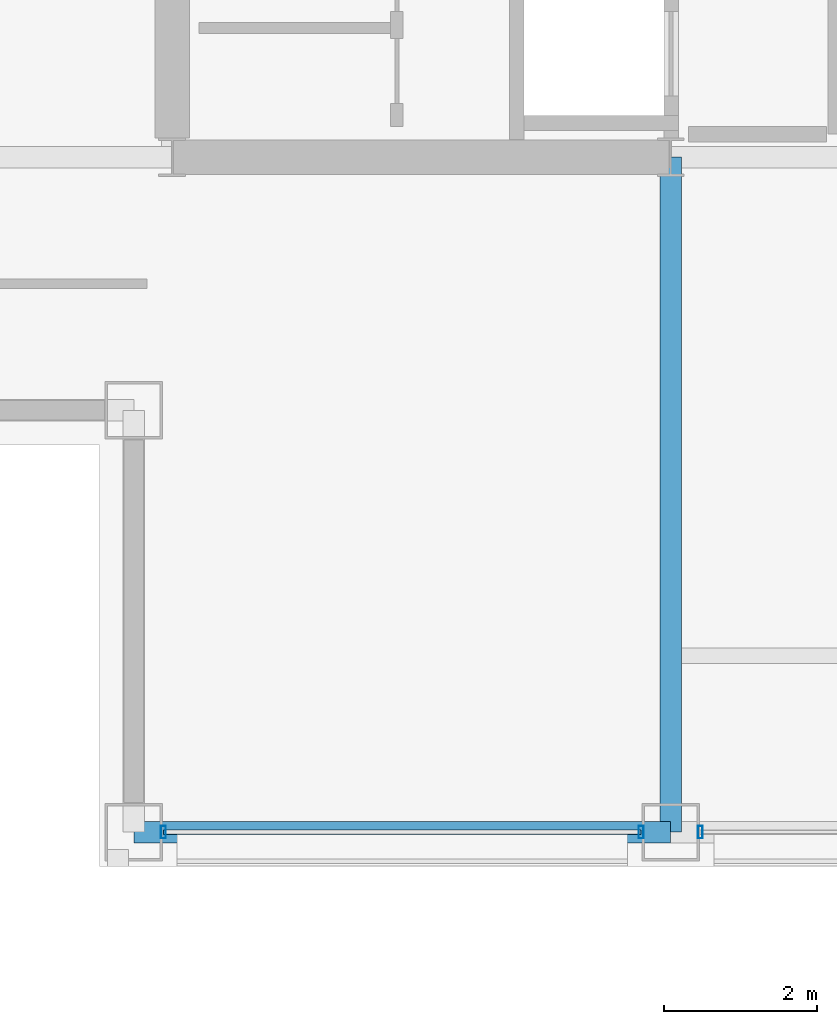
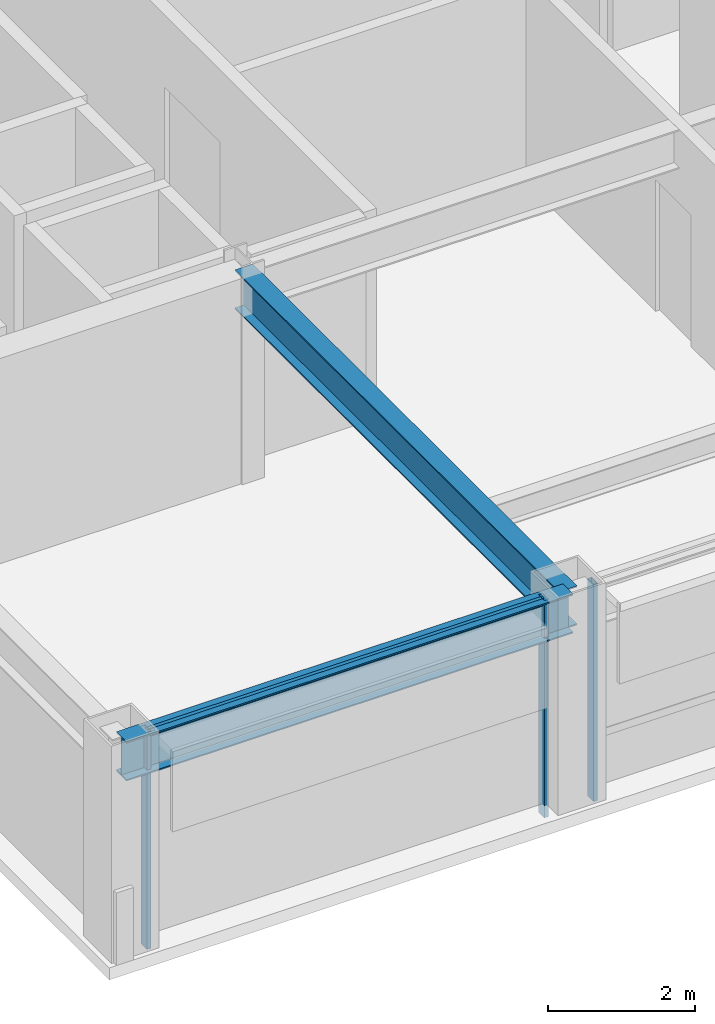
# One storey, part 2 of 30: 4 members, 2 beams, 2 elements without a shape of their own.
"""IFC4 building model written with IfcOpenShell, lengths in metres."""

from ifc_helpers import new_model, si_unit, direction, frame, origin, origin_2d, place, context, subcontext, project, spatial, hollow_rectangle, i_section, extrude, material, layer, layer_set, material_profile, profile_set, type_object, element, aggregate, save


model = new_model("IFC4")

# Units and contexts
model_context = context("Model", 3, precision=1e-05, world=origin(), true_north=direction((0.0, 1.0)))
body_context = subcontext(model_context, "Body", "Model", "MODEL_VIEW")
ifc_project = project(units=[si_unit("LENGTHUNIT", "METRE"), si_unit("AREAUNIT", "SQUARE_METRE"), si_unit("VOLUMEUNIT", "CUBIC_METRE"), si_unit("PLANEANGLEUNIT", "RADIAN"), si_unit("MASSUNIT", "GRAM", prefix="KILO")], contexts=[model_context])

# Site, building, storey
site_placement = place(None, origin())
site = spatial("IfcSite", under=ifc_project, at=site_placement, CompositionType="ELEMENT")
building_placement = place(site_placement, origin())
building = spatial("IfcBuilding", under=site, at=building_placement, Name="Brelmoor Portico Tower", CompositionType="ELEMENT")
storey_placement = place(building_placement, frame((0.0, 0.0, 169.5)))
storey = spatial("IfcBuildingStorey", under=building, at=storey_placement, Name="L44", CompositionType="ELEMENT", Elevation=169.5)

# Beams
ifc_material_1 = material(Name="Steel Q355B", Category="steel")
ifc_material_profile_1 = material_profile(ifc_material_1, i_section(OverallWidth=0.280029296875, OverallDepth=0.64990234375, WebThickness=0.012939453125, FlangeThickness=0.02197265625, at=origin_2d()), Name="HN 650x280x13x22")
ifc_profile_set_1 = profile_set([ifc_material_profile_1], Name="Steel Q355B")
beam_type_1 = type_object("IfcBeamType", Name="BM-PG-650", PredefinedType="BEAM", material=ifc_profile_set_1)
beam_1_placement = place(storey_placement, frame((-8.050048828125, -18.550048828125, 3.074951171875), z_axis=(0.0, 1.0, 0.0), x_axis=(-1.0, 0.0, 0.0)))
element("IfcBeam", 1, at=beam_1_placement, inside=storey, type_object=beam_type_1, Name="L44 Primary Floor Girder PG-03", PredefinedType="BEAM", context=body_context, shape_type="SweptSolid", body=[
    extrude(i_section(OverallWidth=0.280029296875, OverallDepth=0.64990234375, WebThickness=0.012939453125, FlangeThickness=0.02197265625, at=origin_2d()), origin(), (0.0, 0.0, 1.0), 8.800048828125),
])
ifc_material_profile_2 = material_profile(ifc_material_1, i_section(OverallWidth=0.280029296875, OverallDepth=0.64990234375, WebThickness=0.012939453125, FlangeThickness=0.02197265625, at=origin_2d()), Name="HN 650x280x13x22")
ifc_profile_set_2 = profile_set([ifc_material_profile_2], Name="Steel Q355B")
beam_type_2 = type_object("IfcBeamType", Name="BM-SP-650", PredefinedType="SPANDREL", material=ifc_profile_set_2)
beam_2_placement = place(storey_placement, frame((-15.050048828125, -18.550048828125, 3.074951171875), z_axis=(1.0, 0.0, 0.0), x_axis=(0.0, 1.0, 0.0)))
element("IfcBeam", 2, at=beam_2_placement, inside=storey, type_object=beam_type_2, Name="L44 Perimeter Spandrel Beam SP-01", PredefinedType="SPANDREL", context=body_context, shape_type="SweptSolid", body=[
    extrude(i_section(OverallWidth=0.280029296875, OverallDepth=0.64990234375, WebThickness=0.012939453125, FlangeThickness=0.02197265625, at=origin_2d()), origin(), (0.0, 0.0, 1.0), 7.0),
])

# Curtain wall, members
ifc_material_2 = material(Name="Anodised Aluminium Alloy 6063-T6", Category="aluminium")
ifc_layer_1 = layer(ifc_material_2, 0.179931640625)
ifc_layer_set_1 = layer_set([ifc_layer_1], Name="Anodised Aluminium Alloy 6063-T6")
curtain_wall_type_1 = type_object("IfcCurtainWallType", Name="CW-TOWER-Z3-XB", PredefinedType="NOTDEFINED", material=ifc_layer_set_1)
curtain_wall_1_placement = place(storey_placement, origin())
curtain_wall_1 = element("IfcCurtainWall", 3, at=curtain_wall_1_placement, inside=storey, type_object=curtain_wall_type_1, Name="L44 Curtain Wall CW-L44-1L-1", PredefinedType="NOTDEFINED")
ifc_material_profile_3 = material_profile(ifc_material_2, hollow_rectangle(XDim=0.06494140625, YDim=0.1650390625, WallThickness=0.00390625, at=origin_2d()), Name="ALU MULLION 65x165")
ifc_profile_set_3 = profile_set([ifc_material_profile_3], Name="Anodised Aluminium Alloy 6063-T6")
member_type_1 = type_object("IfcMemberType", Name="MB-CW-MULL-165", PredefinedType="MULLION", material=ifc_profile_set_3)
member_1_placement = place(storey_placement, frame((-14.6650390625, -18.550048828125, -0.199951171875), z_axis=(0.0, 0.0, 1.0), x_axis=(1.0, 0.0, 0.0)))
member_1 = element("IfcMember", 4, at=member_1_placement, type_object=member_type_1, Name="CW-L44-1L-1 Mullion 00", PredefinedType="MULLION", context=body_context, shape_type="SweptSolid", body=[
    extrude(hollow_rectangle(XDim=0.06494140625, YDim=0.1650390625, WallThickness=0.00390625, at=origin_2d()), origin(), (0.0, 0.0, 1.0), 3.599853515625),
])
member_2_placement = place(storey_placement, frame((-8.43505859375, -18.550048828125, -0.199951171875), z_axis=(0.0, 0.0, 1.0), x_axis=(1.0, 0.0, 0.0)))
member_2 = element("IfcMember", 5, at=member_2_placement, type_object=member_type_1, Name="CW-L44-1L-1 Mullion 01", PredefinedType="MULLION", context=body_context, shape_type="SweptSolid", body=[
    extrude(hollow_rectangle(XDim=0.06494140625, YDim=0.1650390625, WallThickness=0.00390625, at=origin_2d()), origin(), (0.0, 0.0, 1.0), 3.599853515625),
])

# Curtain wall, member
ifc_layer_2 = layer(ifc_material_2, 0.179931640625)
ifc_layer_set_2 = layer_set([ifc_layer_2], Name="Anodised Aluminium Alloy 6063-T6")
curtain_wall_type_2 = type_object("IfcCurtainWallType", Name="CW-TOWER-Z3", PredefinedType="NOTDEFINED", material=ifc_layer_set_2)
curtain_wall_2_placement = place(storey_placement, origin())
curtain_wall_2 = element("IfcCurtainWall", 6, at=curtain_wall_2_placement, inside=storey, type_object=curtain_wall_type_2, Name="L44 Curtain Wall CW-L44-1L-2", PredefinedType="NOTDEFINED")
member_3_placement = place(storey_placement, frame((-7.6650390625, -18.550048828125, -0.199951171875), z_axis=(0.0, 0.0, 1.0), x_axis=(1.0, 0.0, 0.0)))
member_3 = element("IfcMember", 7, at=member_3_placement, type_object=member_type_1, Name="CW-L44-1L-2 Mullion 00", PredefinedType="MULLION", context=body_context, shape_type="SweptSolid", body=[
    extrude(hollow_rectangle(XDim=0.06494140625, YDim=0.1650390625, WallThickness=0.00390625, at=origin_2d()), origin(), (0.0, 0.0, 1.0), 3.599853515625),
])
aggregate(curtain_wall_2, [member_3])

# Member
ifc_material_profile_4 = material_profile(ifc_material_2, hollow_rectangle(XDim=0.06005859375, YDim=0.125, WallThickness=0.00341796875, at=origin_2d()), Name="ALU TRANSOM 60x125")
ifc_profile_set_4 = profile_set([ifc_material_profile_4], Name="Anodised Aluminium Alloy 6063-T6")
member_type_2 = type_object("IfcMemberType", Name="MB-CW-TRAN-125", PredefinedType="USERDEFINED", material=ifc_profile_set_4)
member_4_placement = place(storey_placement, frame((-14.6650390625, -18.550048828125, 3.33740234375), z_axis=(1.0, 0.0, 0.0), x_axis=(0.0, 1.0, 0.0)))
member_4 = element("IfcMember", 8, at=member_4_placement, type_object=member_type_2, Name="CW-L44-1L-1 Transom 1-00", ObjectType="TRANSOM", PredefinedType="USERDEFINED", context=body_context, shape_type="SweptSolid", body=[
    extrude(hollow_rectangle(XDim=0.06005859375, YDim=0.125, WallThickness=0.00341796875, at=origin_2d()), origin(), (0.0, 0.0, 1.0), 6.22998046875),
])

aggregate(curtain_wall_1, [member_1, member_2, member_4])

save(model, "model.ifc")
